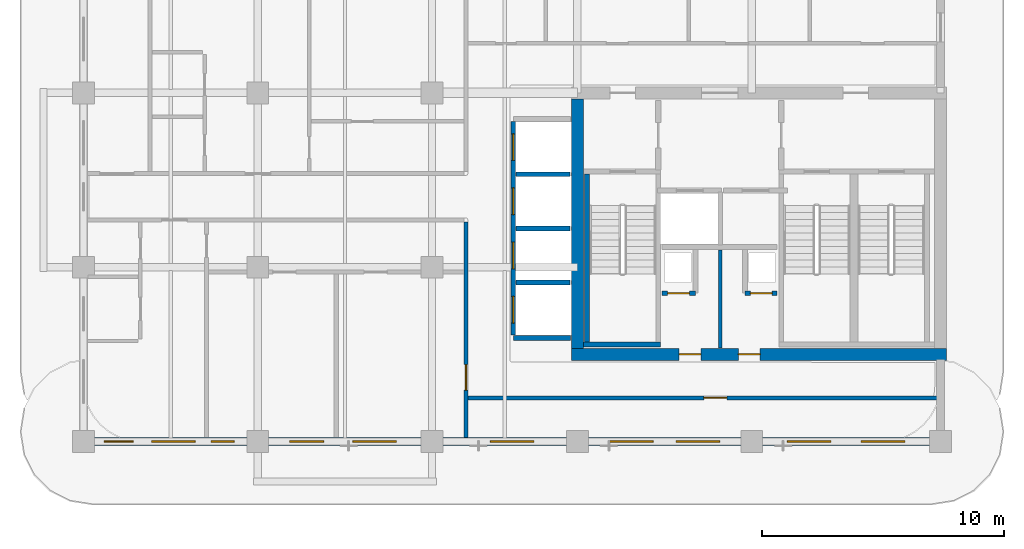
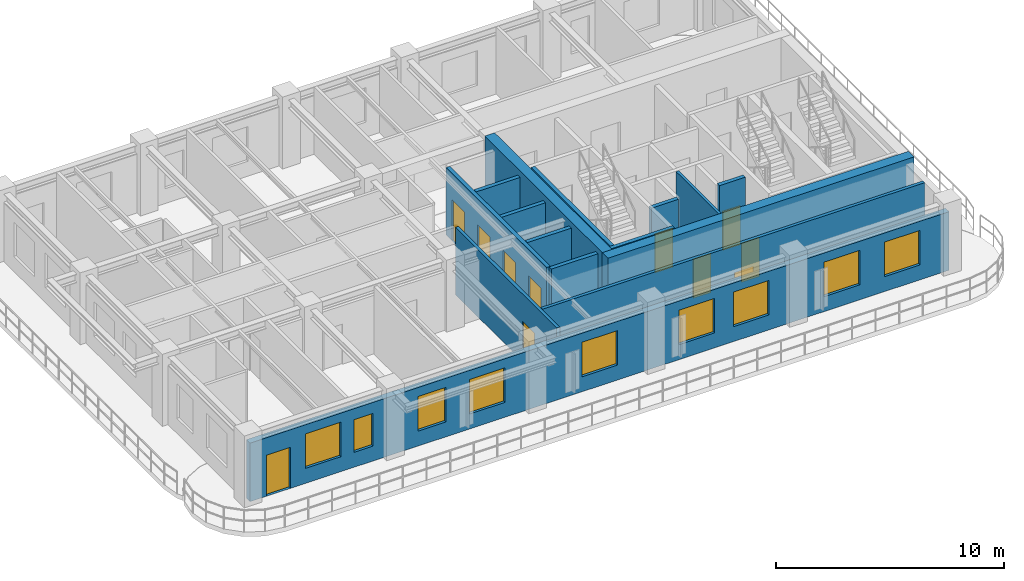
# One storey, part 3 of 7: 15 walls, 11 doors, 9 windows, 20 openings.
"""IFC4 building model written with IfcOpenShell, lengths in metres."""

from ifc_helpers import new_model, si_unit, derived_unit, direction, frame, frame_2d, origin, place, context, subcontext, project, spatial, rectangle, extrude, source, transform, mapped, material, layer, layer_set, type_object, type_shapes, element, fill, save


model = new_model("IFC4")

# Units and contexts
model_context = context("Model", 3, precision=1e-05, world=origin(), true_north=direction((0.0, 1.0)))
body_context = subcontext(model_context, "Body", "Model", "MODEL_VIEW")
ifc_project = project(units=[si_unit("LENGTHUNIT", "METRE"), si_unit("AREAUNIT", "SQUARE_METRE"), si_unit("VOLUMEUNIT", "CUBIC_METRE"), si_unit("PLANEANGLEUNIT", "RADIAN"), si_unit("MASSUNIT", "GRAM", prefix="KILO"), si_unit("THERMODYNAMICTEMPERATUREUNIT", "KELVIN"), si_unit("POWERUNIT", "WATT"), derived_unit("THERMALTRANSMITTANCEUNIT", [(si_unit("POWERUNIT", "WATT"), 1), (si_unit("AREAUNIT", "SQUARE_METRE"), -1), (si_unit("THERMODYNAMICTEMPERATUREUNIT", "KELVIN"), -1)])], contexts=[model_context])

# Site, building, storey
site_placement = place(None, origin())
site = spatial("IfcSite", under=ifc_project, at=site_placement, CompositionType="ELEMENT")
building_placement = place(site_placement, origin())
building = spatial("IfcBuilding", under=site, at=building_placement, Name="Zahravan Archway Hotel and Residences", CompositionType="ELEMENT")
storey_placement = place(building_placement, frame((0.0, 0.0, 217.300048828125)))
storey = spatial("IfcBuildingStorey", under=building, at=storey_placement, Name="L54", CompositionType="ELEMENT", Elevation=217.300048828125)

# Wall, openings, doors
ifc_material_1 = material(Name="Concrete C60/75", Category="concrete")
ifc_layer_1 = layer(ifc_material_1, 0.5, Name="Concrete C60/75", Category="concrete")
ifc_layer_set_1 = layer_set([ifc_layer_1], Name="Concrete C60/75")
wall_type_1 = type_object("IfcWallType", Name="CW-CORE-500", PredefinedType="SHEAR", material=ifc_layer_set_1)
wall_1_placement = place(storey_placement, frame((34.550048828125, 3.60009765625, 0.0), z_axis=(0.0, 0.0, 1.0), x_axis=(1.0, 0.0, 0.0)))
wall_1 = element("IfcWall", 1, at=wall_1_placement, inside=storey, type_object=wall_type_1, Name="L54 Core A Shear S Wall 500 mm", PredefinedType="SHEAR", context=body_context, shape_type="SweptSolid", body=[
    extrude(rectangle(XDim=15.5, YDim=0.5, at=frame_2d((7.75, 0.0))), origin(), (0.0, 0.0, 1.0), 3.849853515625),
])
opening_1_placement = place(wall_1_placement, frame((4.449951171875, 0.0, 0.0)))
opening_1 = element("IfcOpeningElement", 2, at=opening_1_placement, cuts=wall_1, Name="Opening FD-R1", PredefinedType="OPENING", context=body_context, shape_type="SweptSolid", body=[
    extrude(rectangle(XDim=0.89990234375, YDim=2.10009765625, at=frame_2d((0.449951171875, 1.050048828125))), frame((0.0, 0.260009765625, 0.0), z_axis=(0.0, -1.0, 0.0), x_axis=(1.0, 0.0, 0.0)), (0.0, 0.0, 1.0), 0.52001953125),
])
opening_2_placement = place(wall_1_placement, frame((6.89990234375, 0.0, 0.0)))
opening_2 = element("IfcOpeningElement", 3, at=opening_2_placement, cuts=wall_1, Name="Opening FD-R1", PredefinedType="OPENING", context=body_context, shape_type="SweptSolid", body=[
    extrude(rectangle(XDim=0.89990234375, YDim=2.10009765625, at=frame_2d((0.449951171875, 1.050048828125))), frame((0.0, 0.260009765625, 0.0), z_axis=(0.0, -1.0, 0.0), x_axis=(1.0, 0.0, 0.0)), (0.0, 0.0, 1.0), 0.52001953125),
])
ifc_material_2 = material(Name="Fire-Rated Painted Steel", Category="steel")
door_type_1 = type_object("IfcDoorType", Name="FD-RISER-900", OperationType="NOTDEFINED", PredefinedType="DOOR", material=ifc_material_2)
shared_shape_1 = source(origin(), body_context, "Body", "SweptSolid", [
    extrude(rectangle(XDim=0.89990234375, YDim=2.10009765625, at=frame_2d((0.449951171875, 1.050048828125))), frame((0.0, 0.02490234375, 0.0), z_axis=(0.0, -1.0, 0.0), x_axis=(1.0, 0.0, 0.0)), (0.0, 0.0, 1.0), 0.050048828125),
])
type_shapes(door_type_1, [shared_shape_1])
door_1_placement = place(opening_1_placement, origin())
door_1 = element("IfcDoor", 4, at=door_1_placement, inside=storey, type_object=door_type_1, Name="L54 Electrical Switchgear Door", OperationType="SINGLE_SWING_LEFT", OverallHeight=2.10009765625, OverallWidth=0.89990234375, PredefinedType="DOOR", context=body_context, shape_type="MappedRepresentation", body=[
    mapped(shared_shape_1, transform((0.0, 0.0, 0.0), scale=1.0)),
])
fill(opening_1, door_1)
door_2_placement = place(opening_2_placement, origin())
door_2 = element("IfcDoor", 5, at=door_2_placement, inside=storey, type_object=door_type_1, Name="L54 Telecom BMS Door", OperationType="SINGLE_SWING_RIGHT", OverallHeight=2.10009765625, OverallWidth=0.89990234375, PredefinedType="DOOR", context=body_context, shape_type="MappedRepresentation", body=[
    mapped(shared_shape_1, transform((0.0, 0.0, 0.0), scale=1.0)),
])
fill(opening_2, door_2)

# Wall
wall_2_placement = place(storey_placement, frame((34.800048828125, 3.85009765625, 0.0), z_axis=(0.0, 0.0, 1.0), x_axis=(0.0, 1.0, 0.0)))
element("IfcWall", 6, at=wall_2_placement, inside=storey, type_object=wall_type_1, Name="L54 Core A Shear W Wall 500 mm", PredefinedType="SHEAR", context=body_context, shape_type="SweptSolid", body=[
    extrude(rectangle(XDim=10.2998046875, YDim=0.5, at=frame_2d((5.14990234375, 0.0))), origin(), (0.0, 0.0, 1.0), 3.849853515625),
])

# Wall, openings, door, windows
ifc_material_3 = material(Name="Agra Buff Sandstone & Insulated Backup", Category="masonry")
ifc_layer_2 = layer(ifc_material_3, 0.320068359375, Name="Agra Buff Sandstone & Insulated Backup", Category="masonry")
ifc_layer_set_2 = layer_set([ifc_layer_2], Name="Agra Buff Sandstone & Insulated Backup")
wall_type_2 = type_object("IfcWallType", Name="EW-SAND-320", PredefinedType="SOLIDWALL", material=ifc_layer_set_2)
wall_3_placement = place(storey_placement, frame((14.39990234375, 0.0, 0.0), z_axis=(0.0, 0.0, 1.0), x_axis=(1.0, 0.0, 0.0)))
wall_3 = element("IfcWall", 7, at=wall_3_placement, inside=storey, type_object=wall_type_2, Name="L54 Exterior Sandstone Wall WA-S", PredefinedType="SOLIDWALL", context=body_context, shape_type="SweptSolid", body=[
    extrude(rectangle(XDim=35.400146484375, YDim=0.320068359375, at=frame_2d((17.7001953125, 0.0))), origin(), (0.0, 0.0, 1.0), 3.135009765625),
])
opening_3_placement = place(wall_3_placement, frame((0.85009765625, 0.0, 0.0)))
opening_3 = element("IfcOpeningElement", 8, at=opening_3_placement, cuts=wall_3, Name="Opening ED-BL1", PredefinedType="OPENING", context=body_context, shape_type="SweptSolid", body=[
    extrude(rectangle(XDim=1.199951171875, YDim=2.199951171875, at=frame_2d((0.60009765625, 1.10009765625))), frame((0.0, 0.169921875, 0.0), z_axis=(0.0, -1.0, 0.0), x_axis=(1.0, 0.0, 0.0)), (0.0, 0.0, 1.0), 0.340087890625),
])
opening_4_placement = place(wall_3_placement, frame((2.81103515625, 0.0, 0.800048828125)))
opening_4 = element("IfcOpeningElement", 9, at=opening_4_placement, cuts=wall_3, Name="Opening W-02", PredefinedType="OPENING", context=body_context, shape_type="SweptSolid", body=[
    extrude(rectangle(XDim=1.800048828125, YDim=1.85009765625, at=frame_2d((0.89990234375, 0.925048828125))), frame((0.0, 0.169921875, 0.0), z_axis=(0.0, -1.0, 0.0), x_axis=(1.0, 0.0, 0.0)), (0.0, 0.0, 1.0), 0.340087890625),
])
opening_5_placement = place(wall_3_placement, frame((5.26904296875, 0.0, 0.800048828125)))
opening_5 = element("IfcOpeningElement", 10, at=opening_5_placement, cuts=wall_3, Name="Opening W-04", PredefinedType="OPENING", context=body_context, shape_type="SweptSolid", body=[
    extrude(rectangle(XDim=0.949951171875, YDim=1.75, at=frame_2d((0.47509765625, 0.875))), frame((0.0, 0.169921875, 0.0), z_axis=(0.0, -1.0, 0.0), x_axis=(1.0, 0.0, 0.0)), (0.0, 0.0, 1.0), 0.340087890625),
])
opening_6_placement = place(wall_3_placement, frame((8.51611328125, 0.0, 0.800048828125)))
opening_6 = element("IfcOpeningElement", 11, at=opening_6_placement, cuts=wall_3, Name="Opening W-03", PredefinedType="OPENING", context=body_context, shape_type="SweptSolid", body=[
    extrude(rectangle(XDim=1.39990234375, YDim=1.85009765625, at=frame_2d((0.699951171875, 0.925048828125))), frame((0.0, 0.169921875, 0.0), z_axis=(0.0, -1.0, 0.0), x_axis=(1.0, 0.0, 0.0)), (0.0, 0.0, 1.0), 0.340087890625),
])
opening_7_placement = place(wall_3_placement, frame((11.1240234375, 0.0, 0.800048828125)))
opening_7 = element("IfcOpeningElement", 12, at=opening_7_placement, cuts=wall_3, Name="Opening W-02", PredefinedType="OPENING", context=body_context, shape_type="SweptSolid", body=[
    extrude(rectangle(XDim=1.800048828125, YDim=1.85009765625, at=frame_2d((0.89990234375, 0.925048828125))), frame((0.0, 0.169921875, 0.0), z_axis=(0.0, -1.0, 0.0), x_axis=(1.0, 0.0, 0.0)), (0.0, 0.0, 1.0), 0.340087890625),
])
opening_8_placement = place(wall_3_placement, frame((16.803955078125, 0.0, 0.800048828125)))
opening_8 = element("IfcOpeningElement", 13, at=opening_8_placement, cuts=wall_3, Name="Opening W-02", PredefinedType="OPENING", context=body_context, shape_type="SweptSolid", body=[
    extrude(rectangle(XDim=1.800048828125, YDim=1.85009765625, at=frame_2d((0.89990234375, 0.925048828125))), frame((0.0, 0.169921875, 0.0), z_axis=(0.0, -1.0, 0.0), x_axis=(1.0, 0.0, 0.0)), (0.0, 0.0, 1.0), 0.340087890625),
])
opening_9_placement = place(wall_3_placement, frame((21.72509765625, 0.0, 0.800048828125)))
opening_9 = element("IfcOpeningElement", 14, at=opening_9_placement, cuts=wall_3, Name="Opening W-02", PredefinedType="OPENING", context=body_context, shape_type="SweptSolid", body=[
    extrude(rectangle(XDim=1.800048828125, YDim=1.85009765625, at=frame_2d((0.89990234375, 0.925048828125))), frame((0.0, 0.169921875, 0.0), z_axis=(0.0, -1.0, 0.0), x_axis=(1.0, 0.0, 0.0)), (0.0, 0.0, 1.0), 0.340087890625),
])
opening_10_placement = place(wall_3_placement, frame((24.47509765625, 0.0, 0.800048828125)))
opening_10 = element("IfcOpeningElement", 15, at=opening_10_placement, cuts=wall_3, Name="Opening W-02", PredefinedType="OPENING", context=body_context, shape_type="SweptSolid", body=[
    extrude(rectangle(XDim=1.800048828125, YDim=1.85009765625, at=frame_2d((0.89990234375, 0.925048828125))), frame((0.0, 0.169921875, 0.0), z_axis=(0.0, -1.0, 0.0), x_axis=(1.0, 0.0, 0.0)), (0.0, 0.0, 1.0), 0.340087890625),
])
opening_11_placement = place(wall_3_placement, frame((29.074951171875, 0.0, 0.800048828125)))
opening_11 = element("IfcOpeningElement", 16, at=opening_11_placement, cuts=wall_3, Name="Opening W-02", PredefinedType="OPENING", context=body_context, shape_type="SweptSolid", body=[
    extrude(rectangle(XDim=1.800048828125, YDim=1.85009765625, at=frame_2d((0.89990234375, 0.925048828125))), frame((0.0, 0.169921875, 0.0), z_axis=(0.0, -1.0, 0.0), x_axis=(1.0, 0.0, 0.0)), (0.0, 0.0, 1.0), 0.340087890625),
])
opening_12_placement = place(wall_3_placement, frame((32.125, 0.0, 0.800048828125)))
opening_12 = element("IfcOpeningElement", 17, at=opening_12_placement, cuts=wall_3, Name="Opening W-02", PredefinedType="OPENING", context=body_context, shape_type="SweptSolid", body=[
    extrude(rectangle(XDim=1.800048828125, YDim=1.85009765625, at=frame_2d((0.89990234375, 0.925048828125))), frame((0.0, 0.169921875, 0.0), z_axis=(0.0, -1.0, 0.0), x_axis=(1.0, 0.0, 0.0)), (0.0, 0.0, 1.0), 0.340087890625),
])
ifc_material_4 = material(Name="Bronze-Anodized Glazed Aluminium", Category="aluminium")
door_type_2 = type_object("IfcDoorType", Name="ED-BALC-1200", OperationType="SLIDING_TO_LEFT", PredefinedType="DOOR", material=ifc_material_4)
shared_shape_2 = source(origin(), body_context, "Body", "SweptSolid", [
    extrude(rectangle(XDim=1.199951171875, YDim=2.199951171875, at=frame_2d((0.60009765625, 1.10009765625))), frame((0.0, 0.02490234375, 0.0), z_axis=(0.0, -1.0, 0.0), x_axis=(1.0, 0.0, 0.0)), (0.0, 0.0, 1.0), 0.050048828125),
])
type_shapes(door_type_2, [shared_shape_2])
door_3_placement = place(opening_3_placement, origin())
door_3 = element("IfcDoor", 18, at=door_3_placement, inside=storey, type_object=door_type_2, Name="L54 Outdoor Access Sliding Door (SLB-BAL-L54-SA)", OperationType="SLIDING_TO_LEFT", OverallHeight=2.199951171875, OverallWidth=1.199951171875, PredefinedType="DOOR", context=body_context, shape_type="MappedRepresentation", body=[
    mapped(shared_shape_2, transform((0.0, 0.0, 0.0), scale=1.0)),
])
fill(opening_3, door_3)
ifc_material_5 = material(Name="Bronze-Anodized Thermal-Break Aluminium & Low-E Glass", Category="aluminium")
window_type_1 = type_object("IfcWindowType", Name="WIN-TWR-1400", PartitioningType="SINGLE_PANEL", PredefinedType="WINDOW", material=ifc_material_5)
shared_shape_3 = source(origin(), body_context, "Body", "SweptSolid", [
    extrude(rectangle(XDim=1.39990234375, YDim=1.85009765625, at=frame_2d((0.699951171875, 0.925048828125))), frame((0.0, 0.030029296875, 0.0), z_axis=(0.0, -1.0, 0.0), x_axis=(1.0, 0.0, 0.0)), (0.0, 0.0, 1.0), 0.06005859375),
])
type_shapes(window_type_1, [shared_shape_3])
window_1_placement = place(opening_6_placement, origin())
window_1 = element("IfcWindow", 19, at=window_1_placement, inside=storey, type_object=window_type_1, Name="L54 Loggia Window 03", OverallHeight=1.85009765625, OverallWidth=1.39990234375, PartitioningType="SINGLE_PANEL", PredefinedType="WINDOW", context=body_context, shape_type="MappedRepresentation", body=[
    mapped(shared_shape_3, transform((0.0, 0.0, 0.0), scale=1.0)),
])
fill(opening_6, window_1)
window_type_2 = type_object("IfcWindowType", Name="WIN-NAR-950", PartitioningType="SINGLE_PANEL", PredefinedType="WINDOW", material=ifc_material_5)
shared_shape_4 = source(origin(), body_context, "Body", "SweptSolid", [
    extrude(rectangle(XDim=0.949951171875, YDim=1.75, at=frame_2d((0.47509765625, 0.875))), frame((0.0, 0.030029296875, 0.0), z_axis=(0.0, -1.0, 0.0), x_axis=(1.0, 0.0, 0.0)), (0.0, 0.0, 1.0), 0.06005859375),
])
type_shapes(window_type_2, [shared_shape_4])
window_2_placement = place(opening_5_placement, origin())
window_2 = element("IfcWindow", 20, at=window_2_placement, inside=storey, type_object=window_type_2, Name="L54 Loggia Window 02", OverallHeight=1.75, OverallWidth=0.949951171875, PartitioningType="SINGLE_PANEL", PredefinedType="WINDOW", context=body_context, shape_type="MappedRepresentation", body=[
    mapped(shared_shape_4, transform((0.0, 0.0, 0.0), scale=1.0)),
])
fill(opening_5, window_2)
window_type_3 = type_object("IfcWindowType", Name="WIN-TWR-1800", PartitioningType="DOUBLE_PANEL_VERTICAL", PredefinedType="WINDOW", material=ifc_material_5)
shared_shape_5 = source(origin(), body_context, "Body", "SweptSolid", [
    extrude(rectangle(XDim=1.800048828125, YDim=1.85009765625, at=frame_2d((0.89990234375, 0.925048828125))), frame((0.0, 0.030029296875, 0.0), z_axis=(0.0, -1.0, 0.0), x_axis=(1.0, 0.0, 0.0)), (0.0, 0.0, 1.0), 0.06005859375),
])
type_shapes(window_type_3, [shared_shape_5])
window_3_placement = place(opening_4_placement, origin())
window_3 = element("IfcWindow", 21, at=window_3_placement, inside=storey, type_object=window_type_3, Name="L54 Loggia Window 01", OverallHeight=1.85009765625, OverallWidth=1.800048828125, PartitioningType="DOUBLE_PANEL_VERTICAL", PredefinedType="WINDOW", context=body_context, shape_type="MappedRepresentation", body=[
    mapped(shared_shape_5, transform((0.0, 0.0, 0.0), scale=1.0)),
])
fill(opening_4, window_3)
window_4_placement = place(opening_7_placement, origin())
window_4 = element("IfcWindow", 22, at=window_4_placement, inside=storey, type_object=window_type_3, Name="L54 Loggia Window 04", OverallHeight=1.85009765625, OverallWidth=1.800048828125, PartitioningType="DOUBLE_PANEL_VERTICAL", PredefinedType="WINDOW", context=body_context, shape_type="MappedRepresentation", body=[
    mapped(shared_shape_5, transform((0.0, 0.0, 0.0), scale=1.0)),
])
fill(opening_7, window_4)
window_5_placement = place(opening_8_placement, origin())
window_5 = element("IfcWindow", 23, at=window_5_placement, inside=storey, type_object=window_type_3, Name="L54 Loggia Window 05", OverallHeight=1.85009765625, OverallWidth=1.800048828125, PartitioningType="DOUBLE_PANEL_VERTICAL", PredefinedType="WINDOW", context=body_context, shape_type="MappedRepresentation", body=[
    mapped(shared_shape_5, transform((0.0, 0.0, 0.0), scale=1.0)),
])
fill(opening_8, window_5)
window_6_placement = place(opening_9_placement, origin())
window_6 = element("IfcWindow", 24, at=window_6_placement, inside=storey, type_object=window_type_3, Name="L54 Loggia Window 06", OverallHeight=1.85009765625, OverallWidth=1.800048828125, PartitioningType="DOUBLE_PANEL_VERTICAL", PredefinedType="WINDOW", context=body_context, shape_type="MappedRepresentation", body=[
    mapped(shared_shape_5, transform((0.0, 0.0, 0.0), scale=1.0)),
])
fill(opening_9, window_6)
window_7_placement = place(opening_10_placement, origin())
window_7 = element("IfcWindow", 25, at=window_7_placement, inside=storey, type_object=window_type_3, Name="L54 Loggia Window 07", OverallHeight=1.85009765625, OverallWidth=1.800048828125, PartitioningType="DOUBLE_PANEL_VERTICAL", PredefinedType="WINDOW", context=body_context, shape_type="MappedRepresentation", body=[
    mapped(shared_shape_5, transform((0.0, 0.0, 0.0), scale=1.0)),
])
fill(opening_10, window_7)
window_8_placement = place(opening_11_placement, origin())
window_8 = element("IfcWindow", 26, at=window_8_placement, inside=storey, type_object=window_type_3, Name="L54 Loggia Window 08", OverallHeight=1.85009765625, OverallWidth=1.800048828125, PartitioningType="DOUBLE_PANEL_VERTICAL", PredefinedType="WINDOW", context=body_context, shape_type="MappedRepresentation", body=[
    mapped(shared_shape_5, transform((0.0, 0.0, 0.0), scale=1.0)),
])
fill(opening_11, window_8)
window_9_placement = place(opening_12_placement, origin())
window_9 = element("IfcWindow", 27, at=window_9_placement, inside=storey, type_object=window_type_3, Name="L54 Loggia Window 09", OverallHeight=1.85009765625, OverallWidth=1.800048828125, PartitioningType="DOUBLE_PANEL_VERTICAL", PredefinedType="WINDOW", context=body_context, shape_type="MappedRepresentation", body=[
    mapped(shared_shape_5, transform((0.0, 0.0, 0.0), scale=1.0)),
])
fill(opening_12, window_9)

# Wall, opening, door
ifc_material_6 = material(Name="Fire-Rated Gypsum & Concrete Block", Category="concrete")
ifc_layer_3 = layer(ifc_material_6, 0.159912109375, Name="Fire-Rated Gypsum & Concrete Block", Category="concrete")
ifc_layer_set_3 = layer_set([ifc_layer_3], Name="Fire-Rated Gypsum & Concrete Block")
wall_type_3 = type_object("IfcWallType", Name="PW-CORR-160", PredefinedType="PARTITIONING", material=ifc_layer_set_3)
wall_4_placement = place(storey_placement, frame((30.199951171875, 0.16796875, 0.0), z_axis=(0.0, 0.0, 1.0), x_axis=(0.0, 1.0, 0.0)))
wall_4 = element("IfcWall", 28, at=wall_4_placement, inside=storey, type_object=wall_type_3, Name="L54 Partition WA-SRW", PredefinedType="PARTITIONING", context=body_context, shape_type="SweptSolid", body=[
    extrude(rectangle(XDim=8.89208984375, YDim=0.159912109375, at=frame_2d((4.446044921875, 0.0))), origin(), (0.0, 0.0, 1.0), 3.599853515625),
])
opening_13_placement = place(wall_4_placement, frame((1.95703125, 0.0, 0.0)))
opening_13 = element("IfcOpeningElement", 29, at=opening_13_placement, cuts=wall_4, Name="Opening FD-L2", PredefinedType="OPENING", context=body_context, shape_type="SweptSolid", body=[
    extrude(rectangle(XDim=1.050048828125, YDim=2.14990234375, at=frame_2d((0.52490234375, 1.074951171875))), frame((0.0, 0.08984375, 0.0), z_axis=(0.0, -1.0, 0.0), x_axis=(1.0, 0.0, 0.0)), (0.0, 0.0, 1.0), 0.179931640625),
])
door_type_3 = type_object("IfcDoorType", Name="FD-LOBBY-1100", OperationType="NOTDEFINED", PredefinedType="DOOR", material=ifc_material_2)
shared_shape_6 = source(origin(), body_context, "Body", "SweptSolid", [
    extrude(rectangle(XDim=1.050048828125, YDim=2.14990234375, at=frame_2d((0.52490234375, 1.074951171875))), frame((0.0, 0.02490234375, 0.0), z_axis=(0.0, -1.0, 0.0), x_axis=(1.0, 0.0, 0.0)), (0.0, 0.0, 1.0), 0.050048828125),
])
type_shapes(door_type_3, [shared_shape_6])
door_4_placement = place(opening_13_placement, origin())
door_4 = element("IfcDoor", 30, at=door_4_placement, inside=storey, type_object=door_type_3, Name="L54 South Riser Corridor Door", OperationType="SINGLE_SWING_LEFT", OverallHeight=2.14990234375, OverallWidth=1.050048828125, PredefinedType="DOOR", context=body_context, shape_type="MappedRepresentation", body=[
    mapped(shared_shape_6, transform((0.0, 0.0, 0.0), scale=1.0)),
])
fill(opening_13, door_4)

wall_5_placement = place(storey_placement, frame((30.2900390625, 1.800048828125, 0.0), z_axis=(0.0, 0.0, 1.0), x_axis=(1.0, 0.0, 0.0)))
wall_5 = element("IfcWall", 31, at=wall_5_placement, inside=storey, type_object=wall_type_3, Name="L54 Partition WA-SRS", PredefinedType="PARTITIONING", context=body_context, shape_type="SweptSolid", body=[
    extrude(rectangle(XDim=19.369873046875, YDim=0.159912109375, at=frame_2d((9.68505859375, 0.0))), origin(), (0.0, 0.0, 1.0), 3.599853515625),
])
opening_14_placement = place(wall_5_placement, frame((9.735107421875, 0.0, 0.0)))
opening_14 = element("IfcOpeningElement", 32, at=opening_14_placement, cuts=wall_5, Name="Opening D-I1", PredefinedType="OPENING", context=body_context, shape_type="SweptSolid", body=[
    extrude(rectangle(XDim=0.949951171875, YDim=2.14990234375, at=frame_2d((0.47509765625, 1.074951171875))), frame((0.0, 0.08984375, 0.0), z_axis=(0.0, -1.0, 0.0), x_axis=(1.0, 0.0, 0.0)), (0.0, 0.0, 1.0), 0.179931640625),
])
ifc_material_7 = material(Name="Hardwood Veneer Timber", Category="wood")
door_type_4 = type_object("IfcDoorType", Name="ID-INT-950", OperationType="NOTDEFINED", PredefinedType="DOOR", material=ifc_material_7)
shared_shape_7 = source(origin(), body_context, "Body", "SweptSolid", [
    extrude(rectangle(XDim=0.949951171875, YDim=2.14990234375, at=frame_2d((0.47509765625, 1.074951171875))), frame((0.0, 0.02490234375, 0.0), z_axis=(0.0, -1.0, 0.0), x_axis=(1.0, 0.0, 0.0)), (0.0, 0.0, 1.0), 0.050048828125),
])
type_shapes(door_type_4, [shared_shape_7])
door_5_placement = place(opening_14_placement, origin())
door_5 = element("IfcDoor", 33, at=door_5_placement, inside=storey, type_object=door_type_4, Name="L54 South Viewing Lounge Door", OperationType="SINGLE_SWING_RIGHT", OverallHeight=2.14990234375, OverallWidth=0.949951171875, PredefinedType="DOOR", context=body_context, shape_type="MappedRepresentation", body=[
    mapped(shared_shape_7, transform((0.0, 0.0, 0.0), scale=1.0)),
])
fill(opening_14, door_5)

ifc_layer_4 = layer(ifc_material_6, 0.199951171875, Name="Fire-Rated Gypsum & Concrete Block", Category="concrete")
ifc_layer_set_4 = layer_set([ifc_layer_4], Name="Fire-Rated Gypsum & Concrete Block")
wall_type_4 = type_object("IfcWallType", Name="PW-SHAFT-200", PredefinedType="PARTITIONING", material=ifc_layer_set_4)
wall_6_placement = place(storey_placement, frame((38.2900390625, 6.1201171875, 0.0), z_axis=(0.0, 0.0, 1.0), x_axis=(1.0, 0.0, 0.0)))
wall_6 = element("IfcWall", 34, at=wall_6_placement, inside=storey, type_object=wall_type_4, Name="L54 Partition CA-SMKS", PredefinedType="PARTITIONING", context=body_context, shape_type="SweptSolid", body=[
    extrude(rectangle(XDim=1.3798828125, YDim=0.199951171875, at=frame_2d((0.68994140625, 0.0))), origin(), (0.0, 0.0, 1.0), 3.599853515625),
])
opening_15_placement = place(wall_6_placement, frame((0.239990234375, 0.0, 0.0)))
opening_15 = element("IfcOpeningElement", 35, at=opening_15_placement, cuts=wall_6, Name="Opening FD-R1", PredefinedType="OPENING", context=body_context, shape_type="SweptSolid", body=[
    extrude(rectangle(XDim=0.89990234375, YDim=2.10009765625, at=frame_2d((0.449951171875, 1.050048828125))), frame((0.0, 0.10986328125, 0.0), z_axis=(0.0, -1.0, 0.0), x_axis=(1.0, 0.0, 0.0)), (0.0, 0.0, 1.0), 0.219970703125),
])
door_6_placement = place(opening_15_placement, origin())
door_6 = element("IfcDoor", 36, at=door_6_placement, inside=storey, type_object=door_type_1, Name="L54 Smoke Riser Access Door", OperationType="SINGLE_SWING_LEFT", OverallHeight=2.10009765625, OverallWidth=0.89990234375, PredefinedType="DOOR", context=body_context, shape_type="MappedRepresentation", body=[
    mapped(shared_shape_1, transform((0.0, 0.0, 0.0), scale=1.0)),
])
fill(opening_15, door_6)

wall_7_placement = place(storey_placement, frame((41.72998046875, 6.1201171875, 0.0), z_axis=(0.0, 0.0, 1.0), x_axis=(1.0, 0.0, 0.0)))
wall_7 = element("IfcWall", 37, at=wall_7_placement, inside=storey, type_object=wall_type_4, Name="L54 Partition CA-MEPS", PredefinedType="PARTITIONING", context=body_context, shape_type="SweptSolid", body=[
    extrude(rectangle(XDim=1.320068359375, YDim=0.199951171875, at=frame_2d((0.66015625, 0.0))), origin(), (0.0, 0.0, 1.0), 3.599853515625),
])
opening_16_placement = place(wall_7_placement, frame((0.219970703125, 0.0, 0.0)))
opening_16 = element("IfcOpeningElement", 38, at=opening_16_placement, cuts=wall_7, Name="Opening FD-R1", PredefinedType="OPENING", context=body_context, shape_type="SweptSolid", body=[
    extrude(rectangle(XDim=0.89990234375, YDim=2.10009765625, at=frame_2d((0.449951171875, 1.050048828125))), frame((0.0, 0.10986328125, 0.0), z_axis=(0.0, -1.0, 0.0), x_axis=(1.0, 0.0, 0.0)), (0.0, 0.0, 1.0), 0.219970703125),
])
door_7_placement = place(opening_16_placement, origin())
door_7 = element("IfcDoor", 39, at=door_7_placement, inside=storey, type_object=door_type_1, Name="L54 MEP Riser Access Door", OperationType="SINGLE_SWING_RIGHT", OverallHeight=2.10009765625, OverallWidth=0.89990234375, PredefinedType="DOOR", context=body_context, shape_type="MappedRepresentation", body=[
    mapped(shared_shape_1, transform((0.0, 0.0, 0.0), scale=1.0)),
])
fill(opening_16, door_7)

# Wall
wall_8_placement = place(storey_placement, frame((32.159912109375, 4.280029296875, 0.0), z_axis=(0.0, 0.0, 1.0), x_axis=(1.0, 0.0, 0.0)))
element("IfcWall", 40, at=wall_8_placement, inside=storey, type_object=wall_type_4, Name="L54 Partition B3-S", PredefinedType="PARTITIONING", context=body_context, shape_type="SweptSolid", body=[
    extrude(rectangle(XDim=2.360107421875, YDim=0.199951171875, at=frame_2d((1.18017578125, 0.0))), origin(), (0.0, 0.0, 1.0), 3.599853515625),
])

# Wall, openings, doors
wall_9_placement = place(storey_placement, frame((32.14990234375, 4.389892578125, 0.0), z_axis=(0.0, 0.0, 1.0), x_axis=(0.0, 1.0, 0.0)))
wall_9 = element("IfcWall", 41, at=wall_9_placement, inside=storey, type_object=wall_type_4, Name="L54 Partition B3-W", PredefinedType="PARTITIONING", context=body_context, shape_type="SweptSolid", body=[
    extrude(rectangle(XDim=8.820068359375, YDim=0.199951171875, at=frame_2d((4.41015625, 0.0))), origin(), (0.0, 0.0, 1.0), 3.599853515625),
])
opening_17_placement = place(wall_9_placement, frame((0.5, 0.0, 0.0)))
opening_17 = element("IfcOpeningElement", 42, at=opening_17_placement, cuts=wall_9, Name="Opening LD", PredefinedType="OPENING", context=body_context, shape_type="SweptSolid", body=[
    extrude(rectangle(XDim=1.10009765625, YDim=2.199951171875, at=frame_2d((0.550048828125, 1.10009765625))), frame((0.0, 0.10986328125, 0.0), z_axis=(0.0, -1.0, 0.0), x_axis=(1.0, 0.0, 0.0)), (0.0, 0.0, 1.0), 0.219970703125),
])
opening_18_placement = place(wall_9_placement, frame((2.739990234375, 0.0, 0.0)))
opening_18 = element("IfcOpeningElement", 43, at=opening_18_placement, cuts=wall_9, Name="Opening LD", PredefinedType="OPENING", context=body_context, shape_type="SweptSolid", body=[
    extrude(rectangle(XDim=1.10009765625, YDim=2.199951171875, at=frame_2d((0.550048828125, 1.10009765625))), frame((0.0, 0.10986328125, 0.0), z_axis=(0.0, -1.0, 0.0), x_axis=(1.0, 0.0, 0.0)), (0.0, 0.0, 1.0), 0.219970703125),
])
opening_19_placement = place(wall_9_placement, frame((4.97998046875, 0.0, 0.0)))
opening_19 = element("IfcOpeningElement", 44, at=opening_19_placement, cuts=wall_9, Name="Opening LD", PredefinedType="OPENING", context=body_context, shape_type="SweptSolid", body=[
    extrude(rectangle(XDim=1.10009765625, YDim=2.199951171875, at=frame_2d((0.550048828125, 1.10009765625))), frame((0.0, 0.10986328125, 0.0), z_axis=(0.0, -1.0, 0.0), x_axis=(1.0, 0.0, 0.0)), (0.0, 0.0, 1.0), 0.219970703125),
])
opening_20_placement = place(wall_9_placement, frame((7.219970703125, 0.0, 0.0)))
opening_20 = element("IfcOpeningElement", 45, at=opening_20_placement, cuts=wall_9, Name="Opening LD", PredefinedType="OPENING", context=body_context, shape_type="SweptSolid", body=[
    extrude(rectangle(XDim=1.10009765625, YDim=2.199951171875, at=frame_2d((0.550048828125, 1.10009765625))), frame((0.0, 0.10986328125, 0.0), z_axis=(0.0, -1.0, 0.0), x_axis=(1.0, 0.0, 0.0)), (0.0, 0.0, 1.0), 0.219970703125),
])
ifc_material_8 = material(Name="Brushed Stainless Steel", Category="steel")
door_type_5 = type_object("IfcDoorType", Name="DR-LIFT-LD", OperationType="SLIDING_TO_LEFT", PredefinedType="DOOR", material=ifc_material_8)
shared_shape_8 = source(origin(), body_context, "Body", "SweptSolid", [
    extrude(rectangle(XDim=1.10009765625, YDim=2.199951171875, at=frame_2d((0.550048828125, 1.10009765625))), frame((0.0, 0.02490234375, 0.0), z_axis=(0.0, -1.0, 0.0), x_axis=(1.0, 0.0, 0.0)), (0.0, 0.0, 1.0), 0.050048828125),
])
type_shapes(door_type_5, [shared_shape_8])
door_8_placement = place(opening_17_placement, origin())
door_8 = element("IfcDoor", 46, at=door_8_placement, inside=storey, type_object=door_type_5, Name="L54 Lift LP-7 Sliding Landing Door", OperationType="SLIDING_TO_LEFT", OverallHeight=2.199951171875, OverallWidth=1.10009765625, PredefinedType="DOOR", context=body_context, shape_type="MappedRepresentation", body=[
    mapped(shared_shape_8, transform((0.0, 0.0, 0.0), scale=1.0)),
])
fill(opening_17, door_8)
door_9_placement = place(opening_18_placement, origin())
door_9 = element("IfcDoor", 47, at=door_9_placement, inside=storey, type_object=door_type_5, Name="L54 Lift LP-8 Sliding Landing Door", OperationType="SLIDING_TO_LEFT", OverallHeight=2.199951171875, OverallWidth=1.10009765625, PredefinedType="DOOR", context=body_context, shape_type="MappedRepresentation", body=[
    mapped(shared_shape_8, transform((0.0, 0.0, 0.0), scale=1.0)),
])
fill(opening_18, door_9)
door_10_placement = place(opening_19_placement, origin())
door_10 = element("IfcDoor", 48, at=door_10_placement, inside=storey, type_object=door_type_5, Name="L54 Lift LP-9 Sliding Landing Door", OperationType="SLIDING_TO_LEFT", OverallHeight=2.199951171875, OverallWidth=1.10009765625, PredefinedType="DOOR", context=body_context, shape_type="MappedRepresentation", body=[
    mapped(shared_shape_8, transform((0.0, 0.0, 0.0), scale=1.0)),
])
fill(opening_19, door_10)
door_11_placement = place(opening_20_placement, origin())
door_11 = element("IfcDoor", 49, at=door_11_placement, inside=storey, type_object=door_type_5, Name="L54 Lift LP-10 Sliding Landing Door", OperationType="SLIDING_TO_LEFT", OverallHeight=2.199951171875, OverallWidth=1.10009765625, PredefinedType="DOOR", context=body_context, shape_type="MappedRepresentation", body=[
    mapped(shared_shape_8, transform((0.0, 0.0, 0.0), scale=1.0)),
])
fill(opening_20, door_11)

# Walls
for number, where, z_axis, x_axis, name in (
    (50, (32.260009765625, 6.56005859375, 0.0), (0.0, 0.0, 1.0), (1.0, 0.0, 0.0), "L54 Partition B3-D"),
    (51, (32.260009765625, 8.800048828125, 0.0), (0.0, 0.0, 1.0), (1.0, 0.0, 0.0), "L54 Partition B3-D"),
    (52, (32.260009765625, 11.0400390625, 0.0), (0.0, 0.0, 1.0), (1.0, 0.0, 0.0), "L54 Partition B3-D"),
):
    element("IfcWall", number, at=place(storey_placement, frame(where, z_axis=z_axis, x_axis=x_axis)), inside=storey, type_object=wall_type_4, Name=name, PredefinedType="PARTITIONING", context=body_context, shape_type="SweptSolid", body=[
        extrude(rectangle(XDim=2.22998046875, YDim=0.199951171875, at=frame_2d((1.114990234375, 0.0))), origin(), (0.0, 0.0, 1.0), 3.599853515625),
    ])
ifc_material_9 = material(Name="Moisture-Resistant Blockwork", Category="masonry")
ifc_layer_5 = layer(ifc_material_9, 0.139892578125, Name="Moisture-Resistant Blockwork", Category="masonry")
ifc_layer_set_5 = layer_set([ifc_layer_5], Name="Moisture-Resistant Blockwork")
wall_type_5 = type_object("IfcWallType", Name="PW-WET-140", PredefinedType="PARTITIONING", material=ifc_layer_set_5)
wall_10_placement = place(storey_placement, frame((40.699951171875, 3.8701171875, 0.0), z_axis=(0.0, 0.0, 1.0), x_axis=(0.0, 1.0, 0.0)))
element("IfcWall", 53, at=wall_10_placement, inside=storey, type_object=wall_type_5, Name="L54 Partition CA-CV0", PredefinedType="PARTITIONING", context=body_context, shape_type="SweptSolid", body=[
    extrude(rectangle(XDim=4.039794921875, YDim=0.139892578125, at=frame_2d((2.02001953125, 0.0))), origin(), (0.0, 0.0, 1.0), 3.599853515625),
])
ifc_material_10 = material(Name="Concrete C50/60", Category="concrete")
ifc_layer_6 = layer(ifc_material_10, 0.199951171875, Name="Concrete C50/60", Category="concrete")
ifc_layer_set_6 = layer_set([ifc_layer_6], Name="Concrete C50/60")
wall_type_6 = type_object("IfcWallType", Name="SW-STAIR-200", PredefinedType="SHEAR", material=ifc_layer_set_6)
wall_11_placement = place(storey_placement, frame((35.050048828125, 4.0, 0.0), z_axis=(0.0, 0.0, 1.0), x_axis=(1.0, 0.0, 0.0)))
element("IfcWall", 54, at=wall_11_placement, inside=storey, type_object=wall_type_6, Name="L54 Stairwell RC Wall CA-SA1S", PredefinedType="SHEAR", context=body_context, shape_type="SweptSolid", body=[
    extrude(rectangle(XDim=3.18994140625, YDim=0.199951171875, at=frame_2d((1.594970703125, 0.0))), origin(), (0.0, 0.0, 1.0), 3.849853515625),
])
wall_12_placement = place(storey_placement, frame((35.199951171875, 4.10009765625, 0.0), z_axis=(0.0, 0.0, 1.0), x_axis=(0.0, 1.0, 0.0)))
element("IfcWall", 55, at=wall_12_placement, inside=storey, type_object=wall_type_6, Name="L54 Stairwell RC Wall CA-SA1W", PredefinedType="SHEAR", context=body_context, shape_type="SweptSolid", body=[
    extrude(rectangle(XDim=6.949951171875, YDim=0.199951171875, at=frame_2d((3.47509765625, 0.0))), origin(), (0.0, 0.0, 1.0), 3.849853515625),
])

save(model, "model.ifc")
